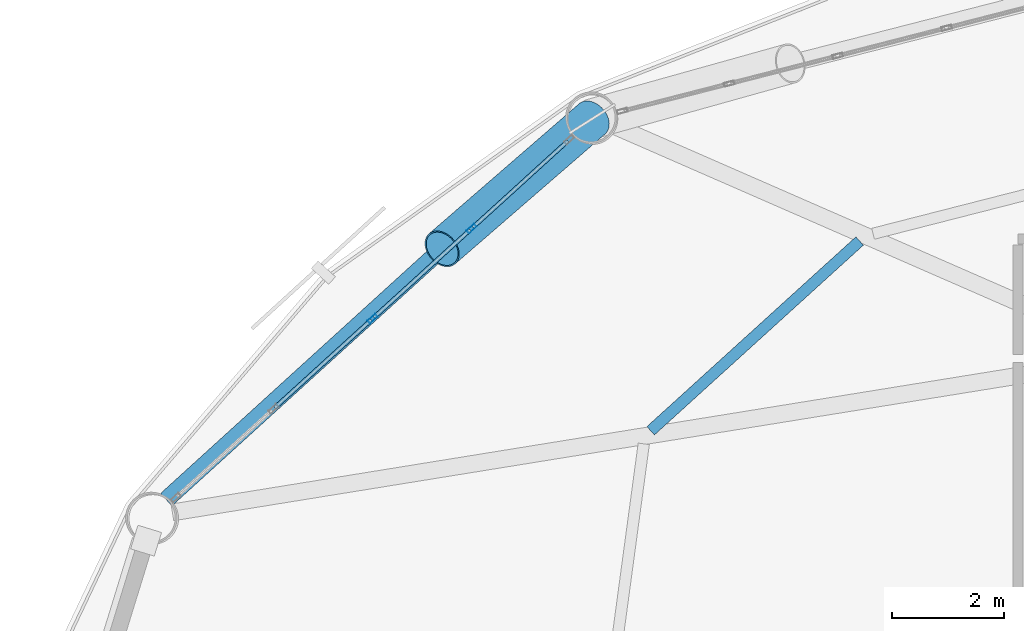
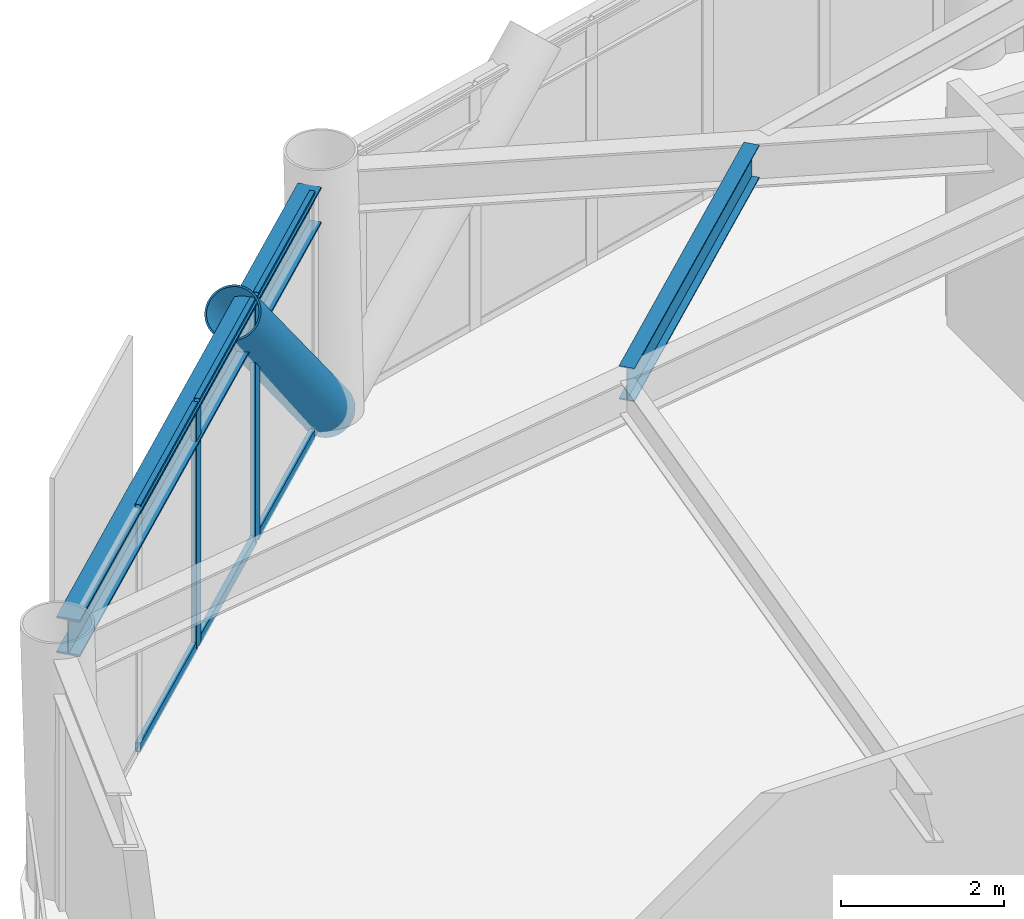
# One storey, part 15 of 25: 9 members, 2 beams, 1 element without a shape of its own.
"""IFC4 building model written with IfcOpenShell, lengths in metres."""

from ifc_helpers import new_model, si_unit, direction, frame, origin, origin_2d, place, context, subcontext, project, spatial, hollow_rectangle, hollow_circle, i_section, extrude, material, layer, layer_set, material_profile, profile_set, type_object, element, aggregate, save


model = new_model("IFC4")

# Units and contexts
model_context = context("Model", 3, precision=1e-05, world=origin(), true_north=direction((0.0, 1.0)))
body_context = subcontext(model_context, "Body", "Model", "MODEL_VIEW")
ifc_project = project(units=[si_unit("LENGTHUNIT", "METRE"), si_unit("AREAUNIT", "SQUARE_METRE"), si_unit("VOLUMEUNIT", "CUBIC_METRE"), si_unit("PLANEANGLEUNIT", "RADIAN"), si_unit("MASSUNIT", "GRAM", prefix="KILO")], contexts=[model_context])

# Site, building, storey
site_placement = place(None, origin())
site = spatial("IfcSite", under=ifc_project, at=site_placement, CompositionType="ELEMENT")
building_placement = place(site_placement, origin())
building = spatial("IfcBuilding", under=site, at=building_placement, Name="Varnakorn Sky Granary", CompositionType="ELEMENT")
storey_placement = place(building_placement, frame((0.0, 0.0, 62.699951171875)))
storey = spatial("IfcBuildingStorey", under=building, at=storey_placement, Name="L15", CompositionType="ELEMENT", Elevation=62.699951171875)

# Beams
ifc_material_1 = material(Name="Steel S355JR", Category="steel")
ifc_material_profile_1 = material_profile(ifc_material_1, i_section(OverallWidth=0.199951171875, OverallDepth=0.5, WebThickness=0.01025390625, FlangeThickness=0.01611328125, at=origin_2d()), Name="IPE 500")
ifc_profile_set_1 = profile_set([ifc_material_profile_1], Name="Steel S355JR")
beam_type_1 = type_object("IfcBeamType", Name="BM-SEC-Z1", PredefinedType="BEAM", material=ifc_profile_set_1)
beam_1_placement = place(storey_placement, frame((-7.422119140625, 14.6669921875, 3.39013671875), z_axis=(-0.740353054611, -0.672218234302, 0.0), x_axis=(0.672218234302, -0.740353054611, 0.0)))
element("IfcBeam", 1, at=beam_1_placement, inside=storey, type_object=beam_type_1, Name="Secondary Floor Chord Beam MSB05 L15", PredefinedType="BEAM", context=body_context, shape_type="SweptSolid", body=[
    extrude(i_section(OverallWidth=0.199951171875, OverallDepth=0.5, WebThickness=0.01025390625, FlangeThickness=0.01611328125, at=origin_2d()), origin(), (0.0, 0.0, 1.0), 5.02734375),
])
ifc_material_profile_2 = material_profile(ifc_material_1, i_section(OverallWidth=0.300048828125, OverallDepth=0.550048828125, WebThickness=0.014892578125, FlangeThickness=0.029052734375, at=origin_2d()), Name="HE 550 B")
ifc_profile_set_2 = profile_set([ifc_material_profile_2], Name="Steel S355JR")
beam_type_2 = type_object("IfcBeamType", Name="BM-SPD-Z1", PredefinedType="SPANDREL", material=ifc_profile_set_2)
beam_2_placement = place(storey_placement, frame((-12.56396484375, 16.613525390625, 3.364990234375), z_axis=(-0.739849329856, -0.672772598365, 0.0), x_axis=(0.672772598365, -0.739849329856, 0.0)))
element("IfcBeam", 2, at=beam_2_placement, inside=storey, type_object=beam_type_2, Name="Perimeter Spandrel Ring Beam RB05 L15", PredefinedType="SPANDREL", context=body_context, shape_type="SweptSolid", body=[
    extrude(i_section(OverallWidth=0.300048828125, OverallDepth=0.550048828125, WebThickness=0.014892578125, FlangeThickness=0.029052734375, at=origin_2d()), origin(), (0.0, 0.0, 1.0), 9.739990234375),
])

# Curtain wall, members
ifc_material_2 = material(Name="Anodised Bronze Aluminium Alloy 6063-T6", Category="aluminium")
ifc_layer = layer(ifc_material_2, 0.18994140625, Name="Anodised Bronze Aluminium Alloy 6063-T6")
ifc_layer_set = layer_set([ifc_layer], Name="Anodised Bronze Aluminium Alloy 6063-T6")
curtain_wall_type = type_object("IfcCurtainWallType", Name="CW-FRM-1", PredefinedType="USERDEFINED", material=ifc_layer_set)
curtain_wall_placement = place(storey_placement, origin())
curtain_wall = element("IfcCurtainWall", 3, at=curtain_wall_placement, inside=storey, type_object=curtain_wall_type, Name="Unitised Curtain Wall CW3 CW-L15-B05", ObjectType="CURTAIN WALL", PredefinedType="USERDEFINED")
ifc_material_profile_3 = material_profile(ifc_material_2, hollow_rectangle(XDim=0.070068359375, YDim=0.18505859375, WallThickness=0.00390625, at=origin_2d()), Name="ALU MULL 70x185")
ifc_profile_set_3 = profile_set([ifc_material_profile_3], Name="Anodised Bronze Aluminium Alloy 6063-T6")
member_type_1 = type_object("IfcMemberType", Name="CW-FRM-1-MULL", PredefinedType="MULLION", material=ifc_profile_set_3)
member_1_placement = place(storey_placement, frame((-16.0966796875, 13.283203125, 0.0), z_axis=(0.0, 0.0, 1.0), x_axis=(-0.673050871898, 0.739596189712, 0.0)))
member_1 = element("IfcMember", 4, at=member_1_placement, type_object=member_type_1, Name="CW3 mullion 3", PredefinedType="MULLION", context=body_context, shape_type="SweptSolid", body=[
    extrude(hollow_rectangle(XDim=0.070068359375, YDim=0.18505859375, WallThickness=0.00390625, at=origin_2d()), origin(), (0.0, 0.0, 1.0), 3.64013671875),
])
member_2_placement = place(storey_placement, frame((-14.332275390625, 14.888916015625, 0.0), z_axis=(0.0, 0.0, 1.0), x_axis=(-0.673050871898, 0.739596189712, 0.0)))
member_2 = element("IfcMember", 5, at=member_2_placement, type_object=member_type_1, Name="CW3 mullion 4", PredefinedType="MULLION", context=body_context, shape_type="SweptSolid", body=[
    extrude(hollow_rectangle(XDim=0.070068359375, YDim=0.18505859375, WallThickness=0.00390625, at=origin_2d()), origin(), (0.0, 0.0, 1.0), 3.64013671875),
])
ifc_material_profile_4 = material_profile(ifc_material_2, hollow_rectangle(XDim=0.070068359375, YDim=0.139892578125, WallThickness=0.00341796875, at=origin_2d()), Name="ALU TRAN 70x140")
ifc_profile_set_4 = profile_set([ifc_material_profile_4], Name="Anodised Bronze Aluminium Alloy 6063-T6")
member_type_2 = type_object("IfcMemberType", Name="CW-FRM-1-TRAN", PredefinedType="USERDEFINED", material=ifc_profile_set_4)
member_3_placement = place(storey_placement, frame((-17.835205078125, 11.701171875, 0.03515625), z_axis=(0.739586950118, 0.673061024882, 0.0), x_axis=(-0.673061024882, 0.739586950118, 0.0)))
member_3 = element("IfcMember", 6, at=member_3_placement, type_object=member_type_2, Name="CW3 transom 2.1", ObjectType="TRANSOM", PredefinedType="USERDEFINED", context=body_context, shape_type="SweptSolid", body=[
    extrude(hollow_rectangle(XDim=0.070068359375, YDim=0.139892578125, WallThickness=0.00341796875, at=origin_2d()), origin(), (0.0, 0.0, 1.0), 2.315673828125),
])
member_4_placement = place(storey_placement, frame((-17.835205078125, 11.701171875, 3.60498046875), z_axis=(0.739586950118, 0.673061024882, 0.0), x_axis=(-0.673061024882, 0.739586950118, 0.0)))
member_4 = element("IfcMember", 7, at=member_4_placement, type_object=member_type_2, Name="CW3 transom 2.2", ObjectType="TRANSOM", PredefinedType="USERDEFINED", context=body_context, shape_type="SweptSolid", body=[
    extrude(hollow_rectangle(XDim=0.070068359375, YDim=0.139892578125, WallThickness=0.00341796875, at=origin_2d()), origin(), (0.0, 0.0, 1.0), 2.315673828125),
])
member_5_placement = place(storey_placement, frame((-16.07080078125, 13.306884765625, 0.03515625), z_axis=(0.739639432973, 0.673003350059, 0.0), x_axis=(-0.673003350059, 0.739639432973, 0.0)))
member_5 = element("IfcMember", 8, at=member_5_placement, type_object=member_type_2, Name="CW3 transom 3.1", ObjectType="TRANSOM", PredefinedType="USERDEFINED", context=body_context, shape_type="SweptSolid", body=[
    extrude(hollow_rectangle(XDim=0.070068359375, YDim=0.139892578125, WallThickness=0.00341796875, at=origin_2d()), origin(), (0.0, 0.0, 1.0), 2.3154296875),
])
member_6_placement = place(storey_placement, frame((-16.07080078125, 13.306884765625, 3.60498046875), z_axis=(0.739639432973, 0.673003350059, 0.0), x_axis=(-0.673003350059, 0.739639432973, 0.0)))
member_6 = element("IfcMember", 9, at=member_6_placement, type_object=member_type_2, Name="CW3 transom 3.2", ObjectType="TRANSOM", PredefinedType="USERDEFINED", context=body_context, shape_type="SweptSolid", body=[
    extrude(hollow_rectangle(XDim=0.070068359375, YDim=0.139892578125, WallThickness=0.00341796875, at=origin_2d()), origin(), (0.0, 0.0, 1.0), 2.3154296875),
])
member_7_placement = place(storey_placement, frame((-14.306396484375, 14.912353515625, 0.03515625), z_axis=(0.739615443483, 0.673029713877, 0.0), x_axis=(-0.673029713877, 0.739615443483, 0.0)))
member_7 = element("IfcMember", 10, at=member_7_placement, type_object=member_type_2, Name="CW3 transom 4.1", ObjectType="TRANSOM", PredefinedType="USERDEFINED", context=body_context, shape_type="SweptSolid", body=[
    extrude(hollow_rectangle(XDim=0.070068359375, YDim=0.139892578125, WallThickness=0.00341796875, at=origin_2d()), origin(), (0.0, 0.0, 1.0), 2.280517578125),
])
member_8_placement = place(storey_placement, frame((-14.306396484375, 14.912353515625, 3.60498046875), z_axis=(0.739615443483, 0.673029713877, 0.0), x_axis=(-0.673029713877, 0.739615443483, 0.0)))
member_8 = element("IfcMember", 11, at=member_8_placement, type_object=member_type_2, Name="CW3 transom 4.2", ObjectType="TRANSOM", PredefinedType="USERDEFINED", context=body_context, shape_type="SweptSolid", body=[
    extrude(hollow_rectangle(XDim=0.070068359375, YDim=0.139892578125, WallThickness=0.00341796875, at=origin_2d()), origin(), (0.0, 0.0, 1.0), 2.280517578125),
])
aggregate(curtain_wall, [member_1, member_2, member_3, member_4, member_5, member_6, member_7, member_8])

# Member
ifc_material_3 = material(Name="Steel S460M", Category="steel")
ifc_material_profile_5 = material_profile(ifc_material_3, hollow_circle(Radius=0.35546875, WallThickness=0.02490234375, at=origin_2d()), Name="CHS 711x25")
ifc_profile_set_5 = profile_set([ifc_material_profile_5], Name="Steel S460M")
member_type_3 = type_object("IfcMemberType", Name="MB-DIAG-T0", PredefinedType="BRACE", material=ifc_profile_set_5)
member_9_placement = place(storey_placement, frame((-12.185546875, 16.842529296875, 0.0), z_axis=(-0.515482522436, -0.446559936956, 0.731342595347), x_axis=(0.654770106365, -0.755828094087, 0.0)))
element("IfcMember", 12, at=member_9_placement, inside=storey, type_object=member_type_3, Name="Perimeter CHS Diagrid Brace DG05 L15", PredefinedType="BRACE", context=body_context, shape_type="SweptSolid", body=[
    extrude(hollow_circle(Radius=0.35546875, WallThickness=0.02490234375, at=origin_2d()), origin(), (0.0, 0.0, 1.0), 5.182373046875),
])

save(model, "model.ifc")
